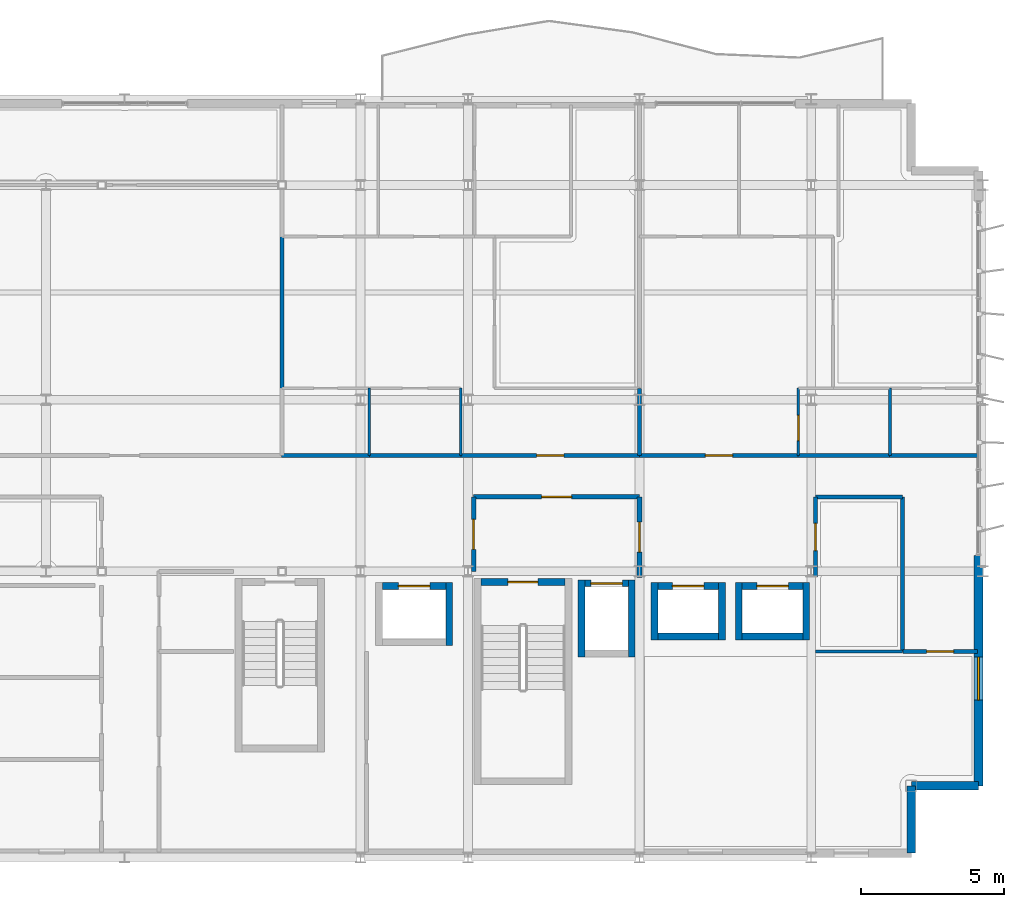
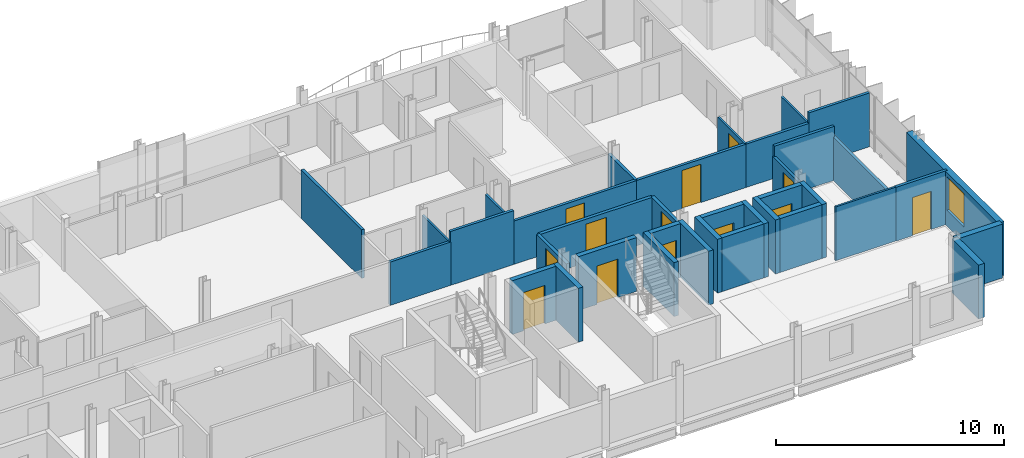
# One storey, part 29 of 35: 37 walls, 13 doors, 1 window, 14 openings.
"""IFC4 building model written with IfcOpenShell, lengths in metres."""

from ifc_helpers import new_model, si_unit, direction, frame, frame_2d, origin, place, context, subcontext, project, spatial, rectangle, extrude, material, layer, layer_set, type_object, element, fill, save


model = new_model("IFC4")

# Units and contexts
model_context = context("Model", 3, precision=1e-05, world=origin(), true_north=direction((0.0, 1.0)))
body_context = subcontext(model_context, "Body", "Model", "MODEL_VIEW")
ifc_project = project(units=[si_unit("LENGTHUNIT", "METRE"), si_unit("AREAUNIT", "SQUARE_METRE"), si_unit("VOLUMEUNIT", "CUBIC_METRE"), si_unit("PLANEANGLEUNIT", "RADIAN"), si_unit("MASSUNIT", "GRAM", prefix="KILO")], contexts=[model_context])

# Site, building, storey
site_placement = place(None, origin())
site = spatial("IfcSite", under=ifc_project, at=site_placement, CompositionType="ELEMENT")
building_placement = place(site_placement, origin())
building = spatial("IfcBuilding", under=site, at=building_placement, Name="Brevholm Reach", CompositionType="ELEMENT")
storey_placement = place(building_placement, frame((0.0, 0.0, 218.0)))
storey = spatial("IfcBuildingStorey", under=building, at=storey_placement, Name="L66", CompositionType="ELEMENT", Elevation=218.0)

# Wall, opening, door
ifc_material_1 = material(Name="Concrete C45/55", Category="concrete")
ifc_layer_1 = layer(ifc_material_1, 0.239990234375)
ifc_layer_set_1 = layer_set([ifc_layer_1], Name="Concrete C45/55")
wall_type_1 = type_object("IfcWallType", Name="WAL-COR-240", PredefinedType="SHEAR", material=ifc_layer_set_1)
wall_1_placement = place(storey_placement, frame((45.39990234375, 9.6201171875, 0.0), z_axis=(0.0, 0.0, 1.0), x_axis=(-1.0, 0.0, 0.0)))
wall_1 = element("IfcWall", 1, at=wall_1_placement, inside=storey, type_object=wall_type_1, Name="L66 Escape Stair ST-2 Core Wall N", PredefinedType="SHEAR", context=body_context, shape_type="SweptSolid", body=[
    extrude(rectangle(XDim=2.949951171875, YDim=0.239990234375, at=frame_2d((1.47509765625, 0.0))), origin(), (0.0, 0.0, 1.0), 2.889892578125),
])
opening_1_placement = place(wall_1_placement, frame((0.949951171875, 0.0, 0.0)))
opening_1 = element("IfcOpeningElement", 2, at=opening_1_placement, cuts=wall_1, Name="Opening SD-ST-2", PredefinedType="OPENING", context=body_context, shape_type="SweptSolid", body=[
    extrude(rectangle(XDim=1.050048828125, YDim=2.06005859375, at=frame_2d((0.52490234375, 1.030029296875))), frame((0.0, 0.1298828125, 0.0), z_axis=(0.0, -1.0, 0.0), x_axis=(1.0, 0.0, 0.0)), (0.0, 0.0, 1.0), 0.260009765625),
])
ifc_material_2 = material(Name="Hardwood-Lipped Steel-Core Fire and Smoke Door", Category="steel")
door_type_1 = type_object("IfcDoorType", Name="DOR-INT-FD60S", OperationType="NOTDEFINED", PredefinedType="DOOR", material=ifc_material_2)
door_1_placement = place(opening_1_placement, origin())
door_1 = element("IfcDoor", 3, at=door_1_placement, inside=storey, type_object=door_type_1, Name="L66 Protected Stair ST-2 Lobby Door", OperationType="SINGLE_SWING_LEFT", OverallHeight=2.06005859375, OverallWidth=1.050048828125, PredefinedType="DOOR", context=body_context, shape_type="SweptSolid", body=[
    extrude(rectangle(XDim=1.050048828125, YDim=2.06005859375, at=frame_2d((0.52490234375, 1.030029296875))), frame((0.0, 0.02490234375, 0.0), z_axis=(0.0, -1.0, 0.0), x_axis=(1.0, 0.0, 0.0)), (0.0, 0.0, 1.0), 0.050048828125),
])
fill(opening_1, door_1)

# Walls
for number, where, z_axis, x_axis, name in (
    (4, (45.969970703125, 7.0, 0.0), (0.0, 0.0, 1.0), (0.0, 1.0, 0.0), "L66 Lift FFL-2 Shaft Wall W"),
    (5, (47.72998046875, 7.0, 0.0), (0.0, 0.0, 1.0), (0.0, 1.0, 0.0), "L66 Lift FFL-2 Shaft Wall E"),
):
    element("IfcWall", number, at=place(storey_placement, frame(where, z_axis=z_axis, x_axis=x_axis)), inside=storey, type_object=wall_type_1, Name=name, PredefinedType="SHEAR", context=body_context, shape_type="SweptSolid", body=[
        extrude(rectangle(XDim=2.699951171875, YDim=0.239990234375, at=frame_2d((1.35009765625, 0.0))), origin(), (0.0, 0.0, 1.0), 2.889892578125),
    ])

# Wall, opening, door
wall_2_placement = place(storey_placement, frame((46.090087890625, 9.580078125, 0.0), z_axis=(0.0, 0.0, 1.0), x_axis=(1.0, 0.0, 0.0)))
wall_2 = element("IfcWall", 6, at=wall_2_placement, inside=storey, type_object=wall_type_1, Name="L66 Lift FFL-2 Shaft Wall N", PredefinedType="SHEAR", context=body_context, shape_type="SweptSolid", body=[
    extrude(rectangle(XDim=1.52001953125, YDim=0.239990234375, at=frame_2d((0.760009765625, 0.0))), origin(), (0.0, 0.0, 1.0), 2.889892578125),
])
opening_2_placement = place(wall_2_placement, frame((0.2099609375, 0.0, 0.0)))
opening_2 = element("IfcOpeningElement", 7, at=opening_2_placement, cuts=wall_2, Name="Opening LD-FFL-2", PredefinedType="OPENING", context=body_context, shape_type="SweptSolid", body=[
    extrude(rectangle(XDim=1.10009765625, YDim=2.06005859375, at=frame_2d((0.550048828125, 1.030029296875))), frame((0.0, 0.1298828125, 0.0), z_axis=(0.0, -1.0, 0.0), x_axis=(1.0, 0.0, 0.0)), (0.0, 0.0, 1.0), 0.260009765625),
])
ifc_material_3 = material(Name="Brushed Stainless Steel Fire-Rated Sliding Lift Door", Category="steel")
door_type_2 = type_object("IfcDoorType", Name="DOR-LFT-1100", OperationType="NOTDEFINED", PredefinedType="DOOR", material=ifc_material_3)
door_2_placement = place(opening_2_placement, origin())
door_2 = element("IfcDoor", 8, at=door_2_placement, inside=storey, type_object=door_type_2, Name="L66 Lift FFL-2 Sliding Landing Door", OperationType="SLIDING_TO_LEFT", OverallHeight=2.06005859375, OverallWidth=1.10009765625, PredefinedType="DOOR", context=body_context, shape_type="SweptSolid", body=[
    extrude(rectangle(XDim=1.10009765625, YDim=2.06005859375, at=frame_2d((0.550048828125, 1.030029296875))), frame((0.0, 0.02490234375, 0.0), z_axis=(0.0, -1.0, 0.0), x_axis=(1.0, 0.0, 0.0)), (0.0, 0.0, 1.0), 0.050048828125),
])
fill(opening_2, door_2)

# Wall
wall_3_placement = place(storey_placement, frame((41.35009765625, 7.39990234375, 0.0), z_axis=(0.0, 0.0, 1.0), x_axis=(0.0, 1.0, 0.0)))
element("IfcWall", 9, at=wall_3_placement, inside=storey, type_object=wall_type_1, Name="L66 Lift PL-S1 Shaft Wall E", PredefinedType="SHEAR", context=body_context, shape_type="SweptSolid", body=[
    extrude(rectangle(XDim=2.2001953125, YDim=0.239990234375, at=frame_2d((1.10009765625, 0.0))), origin(), (0.0, 0.0, 1.0), 2.889892578125),
])

# Wall, opening, door
wall_4_placement = place(storey_placement, frame((39.010009765625, 9.47998046875, 0.0), z_axis=(0.0, 0.0, 1.0), x_axis=(1.0, 0.0, 0.0)))
wall_4 = element("IfcWall", 10, at=wall_4_placement, inside=storey, type_object=wall_type_1, Name="L66 Lift PL-S1 Shaft Wall N", PredefinedType="SHEAR", context=body_context, shape_type="SweptSolid", body=[
    extrude(rectangle(XDim=2.219970703125, YDim=0.239990234375, at=frame_2d((1.10986328125, 0.0))), origin(), (0.0, 0.0, 1.0), 2.889892578125),
])
opening_3_placement = place(wall_4_placement, frame((0.56005859375, 0.0, 0.0)))
opening_3 = element("IfcOpeningElement", 11, at=opening_3_placement, cuts=wall_4, Name="Opening LD-PL-S1", PredefinedType="OPENING", context=body_context, shape_type="SweptSolid", body=[
    extrude(rectangle(XDim=1.10009765625, YDim=2.06005859375, at=frame_2d((0.550048828125, 1.030029296875))), frame((0.0, 0.1298828125, 0.0), z_axis=(0.0, -1.0, 0.0), x_axis=(1.0, 0.0, 0.0)), (0.0, 0.0, 1.0), 0.260009765625),
])
door_3_placement = place(opening_3_placement, origin())
door_3 = element("IfcDoor", 12, at=door_3_placement, inside=storey, type_object=door_type_2, Name="L66 Lift PL-S1 Sliding Landing Door", OperationType="SLIDING_TO_RIGHT", OverallHeight=2.06005859375, OverallWidth=1.10009765625, PredefinedType="DOOR", context=body_context, shape_type="SweptSolid", body=[
    extrude(rectangle(XDim=1.10009765625, YDim=2.06005859375, at=frame_2d((0.550048828125, 1.030029296875))), frame((0.0, 0.02490234375, 0.0), z_axis=(0.0, -1.0, 0.0), x_axis=(1.0, 0.0, 0.0)), (0.0, 0.0, 1.0), 0.050048828125),
])
fill(opening_3, door_3)

# Walls
for number, where, z_axis, x_axis, name in (
    (13, (48.52001953125, 7.60009765625, 0.0), (0.0, 0.0, 1.0), (0.0, 1.0, 0.0), "L66 Lift PL-H1 Shaft Wall W"),
    (14, (50.8798828125, 7.60009765625, 0.0), (0.0, 0.0, 1.0), (0.0, 1.0, 0.0), "L66 Lift PL-H1 Shaft Wall E"),
):
    element("IfcWall", number, at=place(storey_placement, frame(where, z_axis=z_axis, x_axis=x_axis)), inside=storey, type_object=wall_type_1, Name=name, PredefinedType="SHEAR", context=body_context, shape_type="SweptSolid", body=[
        extrude(rectangle(XDim=2.0, YDim=0.239990234375, at=frame_2d((1.0, 0.0))), origin(), (0.0, 0.0, 1.0), 2.889892578125),
    ])
wall_5_placement = place(storey_placement, frame((48.639892578125, 7.719970703125, 0.0), z_axis=(0.0, 0.0, 1.0), x_axis=(1.0, 0.0, 0.0)))
element("IfcWall", 15, at=wall_5_placement, inside=storey, type_object=wall_type_1, Name="L66 Lift PL-H1 Shaft Wall S", PredefinedType="SHEAR", context=body_context, shape_type="SweptSolid", body=[
    extrude(rectangle(XDim=2.1201171875, YDim=0.239990234375, at=frame_2d((1.06005859375, 0.0))), origin(), (0.0, 0.0, 1.0), 2.889892578125),
])

# Wall, opening, door
wall_6_placement = place(storey_placement, frame((48.639892578125, 9.47998046875, 0.0), z_axis=(0.0, 0.0, 1.0), x_axis=(1.0, 0.0, 0.0)))
wall_6 = element("IfcWall", 16, at=wall_6_placement, inside=storey, type_object=wall_type_1, Name="L66 Lift PL-H1 Shaft Wall N", PredefinedType="SHEAR", context=body_context, shape_type="SweptSolid", body=[
    extrude(rectangle(XDim=2.1201171875, YDim=0.239990234375, at=frame_2d((1.06005859375, 0.0))), origin(), (0.0, 0.0, 1.0), 2.889892578125),
])
opening_4_placement = place(wall_6_placement, frame((0.510009765625, 0.0, 0.0)))
opening_4 = element("IfcOpeningElement", 17, at=opening_4_placement, cuts=wall_6, Name="Opening LD-PL-H1", PredefinedType="OPENING", context=body_context, shape_type="SweptSolid", body=[
    extrude(rectangle(XDim=1.10009765625, YDim=2.06005859375, at=frame_2d((0.550048828125, 1.030029296875))), frame((0.0, 0.1298828125, 0.0), z_axis=(0.0, -1.0, 0.0), x_axis=(1.0, 0.0, 0.0)), (0.0, 0.0, 1.0), 0.260009765625),
])
door_4_placement = place(opening_4_placement, origin())
door_4 = element("IfcDoor", 18, at=door_4_placement, inside=storey, type_object=door_type_2, Name="L66 Lift PL-H1 Sliding Landing Door", OperationType="SLIDING_TO_LEFT", OverallHeight=2.06005859375, OverallWidth=1.10009765625, PredefinedType="DOOR", context=body_context, shape_type="SweptSolid", body=[
    extrude(rectangle(XDim=1.10009765625, YDim=2.06005859375, at=frame_2d((0.550048828125, 1.030029296875))), frame((0.0, 0.02490234375, 0.0), z_axis=(0.0, -1.0, 0.0), x_axis=(1.0, 0.0, 0.0)), (0.0, 0.0, 1.0), 0.050048828125),
])
fill(opening_4, door_4)

# Walls
for number, where, z_axis, x_axis, name in (
    (19, (51.469970703125, 7.60009765625, 0.0), (0.0, 0.0, 1.0), (0.0, 1.0, 0.0), "L66 Lift PL-H2 Shaft Wall W"),
    (20, (53.830078125, 7.60009765625, 0.0), (0.0, 0.0, 1.0), (0.0, 1.0, 0.0), "L66 Lift PL-H2 Shaft Wall E"),
):
    element("IfcWall", number, at=place(storey_placement, frame(where, z_axis=z_axis, x_axis=x_axis)), inside=storey, type_object=wall_type_1, Name=name, PredefinedType="SHEAR", context=body_context, shape_type="SweptSolid", body=[
        extrude(rectangle(XDim=2.0, YDim=0.239990234375, at=frame_2d((1.0, 0.0))), origin(), (0.0, 0.0, 1.0), 2.889892578125),
    ])
wall_7_placement = place(storey_placement, frame((51.590087890625, 7.719970703125, 0.0), z_axis=(0.0, 0.0, 1.0), x_axis=(1.0, 0.0, 0.0)))
element("IfcWall", 21, at=wall_7_placement, inside=storey, type_object=wall_type_1, Name="L66 Lift PL-H2 Shaft Wall S", PredefinedType="SHEAR", context=body_context, shape_type="SweptSolid", body=[
    extrude(rectangle(XDim=2.119873046875, YDim=0.239990234375, at=frame_2d((1.06005859375, 0.0))), origin(), (0.0, 0.0, 1.0), 2.889892578125),
])

# Wall, opening, door
wall_8_placement = place(storey_placement, frame((51.590087890625, 9.47998046875, 0.0), z_axis=(0.0, 0.0, 1.0), x_axis=(1.0, 0.0, 0.0)))
wall_8 = element("IfcWall", 22, at=wall_8_placement, inside=storey, type_object=wall_type_1, Name="L66 Lift PL-H2 Shaft Wall N", PredefinedType="SHEAR", context=body_context, shape_type="SweptSolid", body=[
    extrude(rectangle(XDim=2.119873046875, YDim=0.239990234375, at=frame_2d((1.06005859375, 0.0))), origin(), (0.0, 0.0, 1.0), 2.889892578125),
])
opening_5_placement = place(wall_8_placement, frame((0.510009765625, 0.0, 0.0)))
opening_5 = element("IfcOpeningElement", 23, at=opening_5_placement, cuts=wall_8, Name="Opening LD-PL-H2", PredefinedType="OPENING", context=body_context, shape_type="SweptSolid", body=[
    extrude(rectangle(XDim=1.10009765625, YDim=2.06005859375, at=frame_2d((0.550048828125, 1.030029296875))), frame((0.0, 0.1298828125, 0.0), z_axis=(0.0, -1.0, 0.0), x_axis=(1.0, 0.0, 0.0)), (0.0, 0.0, 1.0), 0.260009765625),
])
door_5_placement = place(opening_5_placement, origin())
door_5 = element("IfcDoor", 24, at=door_5_placement, inside=storey, type_object=door_type_2, Name="L66 Lift PL-H2 Sliding Landing Door", OperationType="SLIDING_TO_RIGHT", OverallHeight=2.06005859375, OverallWidth=1.10009765625, PredefinedType="DOOR", context=body_context, shape_type="SweptSolid", body=[
    extrude(rectangle(XDim=1.10009765625, YDim=2.06005859375, at=frame_2d((0.550048828125, 1.030029296875))), frame((0.0, 0.02490234375, 0.0), z_axis=(0.0, -1.0, 0.0), x_axis=(1.0, 0.0, 0.0)), (0.0, 0.0, 1.0), 0.050048828125),
])
fill(opening_5, door_5)

# Walls
ifc_material_4 = material(Name="Concrete C40/50", Category="concrete")
ifc_layer_2 = layer(ifc_material_4, 0.300048828125)
ifc_layer_set_2 = layer_set([ifc_layer_2], Name="Concrete C40/50")
wall_type_2 = type_object("IfcWallType", Name="WAL-EXT-300", PredefinedType="STANDARD", material=ifc_layer_set_2)
for number, where, z_axis, x_axis, name in (
    (25, (57.5, 0.14990234375, 0.0), (0.0, 0.0, 1.0), (0.0, 1.0, 0.0), "L66 Facade Wall WAL-L66-CSE1"),
    (26, (57.5, 2.5, 0.0), (0.0, 0.0, 1.0), (1.0, 0.0, 0.0), "L66 Facade Wall WAL-L66-CSE2"),
):
    element("IfcWall", number, at=place(storey_placement, frame(where, z_axis=z_axis, x_axis=x_axis)), inside=storey, type_object=wall_type_2, Name=name, PredefinedType="STANDARD", context=body_context, shape_type="SweptSolid", body=[
        extrude(rectangle(XDim=2.35009765625, YDim=0.300048828125, at=frame_2d((1.175048828125, 0.0))), origin(), (0.0, 0.0, 1.0), 2.889892578125),
    ])

# Wall, opening, window
wall_9_placement = place(storey_placement, frame((59.85009765625, 2.5, 0.0), z_axis=(0.0, 0.0, 1.0), x_axis=(0.0, 1.0, 0.0)))
wall_9 = element("IfcWall", 27, at=wall_9_placement, inside=storey, type_object=wall_type_2, Name="L66 Facade Wall WAL-L66-E-S", PredefinedType="STANDARD", context=body_context, shape_type="SweptSolid", body=[
    extrude(rectangle(XDim=8.050048828125, YDim=0.300048828125, at=frame_2d((4.02490234375, 0.0))), origin(), (0.0, 0.0, 1.0), 2.889892578125),
])
opening_6_placement = place(wall_9_placement, frame((3.0, 0.0, 0.8701171875)))
opening_6 = element("IfcOpeningElement", 28, at=opening_6_placement, cuts=wall_9, Name="Opening WN-05", PredefinedType="OPENING", context=body_context, shape_type="SweptSolid", body=[
    extrude(rectangle(XDim=1.5, YDim=1.800048828125, at=frame_2d((0.75, 0.89990234375))), frame((0.0, 0.159912109375, 0.0), z_axis=(0.0, -1.0, 0.0), x_axis=(1.0, 0.0, 0.0)), (0.0, 0.0, 1.0), 0.320068359375),
])
ifc_material_5 = material(Name="Dark Anodised Aluminium and Solar-Control IGU Glass", Category="aluminium")
window_type = type_object("IfcWindowType", Name="WIN-RES-1500", PartitioningType="SINGLE_PANEL", PredefinedType="WINDOW", material=ifc_material_5)
window_placement = place(opening_6_placement, origin())
window = element("IfcWindow", 29, at=window_placement, inside=storey, type_object=window_type, Name="L66 Window WIN-L66-ES-1", OverallHeight=1.800048828125, OverallWidth=1.5, PartitioningType="SINGLE_PANEL", PredefinedType="WINDOW", context=body_context, shape_type="SweptSolid", body=[
    extrude(rectangle(XDim=1.5, YDim=1.800048828125, at=frame_2d((0.75, 0.89990234375))), frame((0.0, 0.030029296875, 0.0), z_axis=(0.0, -1.0, 0.0), x_axis=(1.0, 0.0, 0.0)), (0.0, 0.0, 1.0), 0.06005859375),
])
fill(opening_6, window)

# Walls
ifc_material_6 = material(Name="Moisture-Resistant Acoustic Gypsum Stud Partition 100 mm", Category="gypsum")
ifc_layer_3 = layer(ifc_material_6, 0.10009765625)
ifc_layer_set_3 = layer_set([ifc_layer_3], Name="Moisture-Resistant Acoustic Gypsum Stud Partition 100 mm")
wall_type_3 = type_object("IfcWallType", Name="WAL-PRT-100", PredefinedType="PARTITIONING", material=ifc_layer_set_3)
wall_10_placement = place(storey_placement, frame((54.14990234375, 7.199951171875, 0.0), z_axis=(0.0, 0.0, 1.0), x_axis=(1.0, 0.0, 0.0)))
element("IfcWall", 30, at=wall_10_placement, inside=storey, type_object=wall_type_3, Name="L66 Internal Partition 021", PredefinedType="PARTITIONING", context=body_context, shape_type="SweptSolid", body=[
    extrude(rectangle(XDim=3.050048828125, YDim=0.10009765625, at=frame_2d((1.52490234375, 0.0))), origin(), (0.0, 0.0, 1.0), 2.889892578125),
])
for number, where, z_axis, x_axis, name in (
    (31, (38.550048828125, 14.053955078125, 0.0), (0.0, 0.0, 1.0), (0.0, 1.0, 0.0), "L66 Internal Partition 089"),
    (32, (41.75, 14.053955078125, 0.0), (0.0, 0.0, 1.0), (0.0, 1.0, 0.0), "L66 Internal Partition 091"),
    (33, (56.75, 14.053955078125, 0.0), (0.0, 0.0, 1.0), (0.0, 1.0, 0.0), "L66 Internal Partition 105"),
):
    element("IfcWall", number, at=place(storey_placement, frame(where, z_axis=z_axis, x_axis=x_axis)), inside=storey, type_object=wall_type_3, Name=name, PredefinedType="PARTITIONING", context=body_context, shape_type="SweptSolid", body=[
        extrude(rectangle(XDim=2.345947265625, YDim=0.10009765625, at=frame_2d((1.1728515625, 0.0))), origin(), (0.0, 0.0, 1.0), 2.325439453125),
    ])

# Wall, opening, door
wall_11_placement = place(storey_placement, frame((53.550048828125, 14.053955078125, 0.0), z_axis=(0.0, 0.0, 1.0), x_axis=(0.0, 1.0, 0.0)))
wall_11 = element("IfcWall", 34, at=wall_11_placement, inside=storey, type_object=wall_type_3, Name="L66 Internal Partition 109", PredefinedType="PARTITIONING", context=body_context, shape_type="SweptSolid", body=[
    extrude(rectangle(XDim=2.345947265625, YDim=0.10009765625, at=frame_2d((1.1728515625, 0.0))), origin(), (0.0, 0.0, 1.0), 2.325439453125),
])
opening_7_placement = place(wall_11_placement, frame((0.512939453125, 0.0, 0.0)))
opening_7 = element("IfcOpeningElement", 35, at=opening_7_placement, cuts=wall_11, Name="Opening ID-01", PredefinedType="OPENING", context=body_context, shape_type="SweptSolid", body=[
    extrude(rectangle(XDim=0.8798828125, YDim=2.0400390625, at=frame_2d((0.43994140625, 1.02001953125))), frame((0.0, 0.06005859375, 0.0), z_axis=(0.0, -1.0, 0.0), x_axis=(1.0, 0.0, 0.0)), (0.0, 0.0, 1.0), 0.1201171875),
])
ifc_material_7 = material(Name="Lacquered Ash Solid-Core Acoustic Internal Door", Category="timber")
door_type_3 = type_object("IfcDoorType", Name="DOR-INT-880", OperationType="NOTDEFINED", PredefinedType="DOOR", material=ifc_material_7)
door_6_placement = place(opening_7_placement, origin())
door_6 = element("IfcDoor", 36, at=door_6_placement, inside=storey, type_object=door_type_3, Name="L66 Internal Door 040", OperationType="SINGLE_SWING_LEFT", OverallHeight=2.0400390625, OverallWidth=0.8798828125, PredefinedType="DOOR", context=body_context, shape_type="SweptSolid", body=[
    extrude(rectangle(XDim=0.8798828125, YDim=2.0400390625, at=frame_2d((0.43994140625, 1.02001953125))), frame((0.0, 0.02490234375, 0.0), z_axis=(0.0, -1.0, 0.0), x_axis=(1.0, 0.0, 0.0)), (0.0, 0.0, 1.0), 0.050048828125),
])
fill(opening_7, door_6)

ifc_material_8 = material(Name="Twin-Stud Acoustic Fire-Rated Gypsum Partition 140 mm", Category="gypsum")
ifc_layer_4 = layer(ifc_material_8, 0.139892578125)
ifc_layer_set_4 = layer_set([ifc_layer_4], Name="Twin-Stud Acoustic Fire-Rated Gypsum Partition 140 mm")
wall_type_4 = type_object("IfcWallType", Name="WAL-PRT-140", PredefinedType="PARTITIONING", material=ifc_layer_set_4)
wall_12_placement = place(storey_placement, frame((54.14990234375, 9.800048828125, 0.0), z_axis=(0.0, 0.0, 1.0), x_axis=(0.0, 1.0, 0.0)))
wall_12 = element("IfcWall", 37, at=wall_12_placement, inside=storey, type_object=wall_type_4, Name="L66 Internal Partition 018", PredefinedType="PARTITIONING", context=body_context, shape_type="SweptSolid", body=[
    extrude(rectangle(XDim=2.800048828125, YDim=0.139892578125, at=frame_2d((1.39990234375, 0.0))), origin(), (0.0, 0.0, 1.0), 2.325439453125),
])
opening_8_placement = place(wall_12_placement, frame((0.925048828125, 0.0, 0.0)))
opening_8 = element("IfcOpeningElement", 38, at=opening_8_placement, cuts=wall_12, Name="Opening ID-30", PredefinedType="OPENING", context=body_context, shape_type="SweptSolid", body=[
    extrude(rectangle(XDim=0.949951171875, YDim=2.050048828125, at=frame_2d((0.47509765625, 1.02490234375))), frame((0.0, 0.079833984375, 0.0), z_axis=(0.0, -1.0, 0.0), x_axis=(1.0, 0.0, 0.0)), (0.0, 0.0, 1.0), 0.159912109375),
])
ifc_material_9 = material(Name="European Oak Veneered Solid-Core Fire Entrance Door", Category="timber")
door_type_4 = type_object("IfcDoorType", Name="DOR-FLT-FD30S", OperationType="NOTDEFINED", PredefinedType="DOOR", material=ifc_material_9)
door_7_placement = place(opening_8_placement, origin())
door_7 = element("IfcDoor", 39, at=door_7_placement, inside=storey, type_object=door_type_4, Name="L66 Internal Door 012", OperationType="SINGLE_SWING_LEFT", OverallHeight=2.050048828125, OverallWidth=0.949951171875, PredefinedType="DOOR", context=body_context, shape_type="SweptSolid", body=[
    extrude(rectangle(XDim=0.949951171875, YDim=2.050048828125, at=frame_2d((0.47509765625, 1.02490234375))), frame((0.0, 0.02490234375, 0.0), z_axis=(0.0, -1.0, 0.0), x_axis=(1.0, 0.0, 0.0)), (0.0, 0.0, 1.0), 0.050048828125),
])
fill(opening_8, door_7)

# Walls
wall_13_placement = place(storey_placement, frame((54.154052734375, 12.60009765625, 0.0), z_axis=(0.0, 0.0, 1.0), x_axis=(1.0, 0.0, 0.0)))
element("IfcWall", 40, at=wall_13_placement, inside=storey, type_object=wall_type_4, Name="L66 Internal Partition 019", PredefinedType="PARTITIONING", context=body_context, shape_type="SweptSolid", body=[
    extrude(rectangle(XDim=3.0458984375, YDim=0.139892578125, at=frame_2d((1.52294921875, 0.0))), origin(), (0.0, 0.0, 1.0), 2.889892578125),
])
wall_14_placement = place(storey_placement, frame((57.199951171875, 7.199951171875, 0.0), z_axis=(0.0, 0.0, 1.0), x_axis=(0.0, 1.0, 0.0)))
element("IfcWall", 41, at=wall_14_placement, inside=storey, type_object=wall_type_4, Name="L66 Internal Partition 020", PredefinedType="PARTITIONING", context=body_context, shape_type="SweptSolid", body=[
    extrude(rectangle(XDim=5.400146484375, YDim=0.139892578125, at=frame_2d((2.7001953125, 0.0))), origin(), (0.0, 0.0, 1.0), 2.325439453125),
])
wall_15_placement = place(storey_placement, frame((35.49267578125, 14.050048828125, 0.0), z_axis=(0.0, 0.0, 1.0), x_axis=(1.0, 0.0, 0.0)))
element("IfcWall", 42, at=wall_15_placement, inside=storey, type_object=wall_type_4, Name="L66 Internal Partition 028", PredefinedType="PARTITIONING", context=body_context, shape_type="SweptSolid", body=[
    extrude(rectangle(XDim=3.068603515625, YDim=0.139892578125, at=frame_2d((1.5341796875, 0.0))), origin(), (0.0, 0.0, 1.0), 2.325439453125),
])
wall_16_placement = place(storey_placement, frame((38.542724609375, 14.050048828125, 0.0), z_axis=(0.0, 0.0, 1.0), x_axis=(1.0, 0.0, 0.0)))
element("IfcWall", 43, at=wall_16_placement, inside=storey, type_object=wall_type_4, Name="L66 Internal Partition 029", PredefinedType="PARTITIONING", context=body_context, shape_type="SweptSolid", body=[
    extrude(rectangle(XDim=3.218505859375, YDim=0.139892578125, at=frame_2d((1.609375, 0.0))), origin(), (0.0, 0.0, 1.0), 2.889892578125),
])

# Wall, opening, door
wall_17_placement = place(storey_placement, frame((41.74267578125, 14.050048828125, 0.0), z_axis=(0.0, 0.0, 1.0), x_axis=(1.0, 0.0, 0.0)))
wall_17 = element("IfcWall", 44, at=wall_17_placement, inside=storey, type_object=wall_type_4, Name="L66 Internal Partition 030", PredefinedType="PARTITIONING", context=body_context, shape_type="SweptSolid", body=[
    extrude(rectangle(XDim=6.2685546875, YDim=0.139892578125, at=frame_2d((3.13427734375, 0.0))), origin(), (0.0, 0.0, 1.0), 2.325439453125),
])
opening_9_placement = place(wall_17_placement, frame((2.6591796875, 0.0, 0.0)))
opening_9 = element("IfcOpeningElement", 45, at=opening_9_placement, cuts=wall_17, Name="Opening ID-30", PredefinedType="OPENING", context=body_context, shape_type="SweptSolid", body=[
    extrude(rectangle(XDim=0.949951171875, YDim=2.050048828125, at=frame_2d((0.47509765625, 1.02490234375))), frame((0.0, 0.079833984375, 0.0), z_axis=(0.0, -1.0, 0.0), x_axis=(1.0, 0.0, 0.0)), (0.0, 0.0, 1.0), 0.159912109375),
])
door_8_placement = place(opening_9_placement, origin())
door_8 = element("IfcDoor", 46, at=door_8_placement, inside=storey, type_object=door_type_4, Name="L66 Internal Door 015", OperationType="SINGLE_SWING_RIGHT", OverallHeight=2.050048828125, OverallWidth=0.949951171875, PredefinedType="DOOR", context=body_context, shape_type="SweptSolid", body=[
    extrude(rectangle(XDim=0.949951171875, YDim=2.050048828125, at=frame_2d((0.47509765625, 1.02490234375))), frame((0.0, 0.02490234375, 0.0), z_axis=(0.0, -1.0, 0.0), x_axis=(1.0, 0.0, 0.0)), (0.0, 0.0, 1.0), 0.050048828125),
])
fill(opening_9, door_8)

# Walls
wall_18_placement = place(storey_placement, frame((56.73876953125, 14.050048828125, 0.0), z_axis=(0.0, 0.0, 1.0), x_axis=(1.0, 0.0, 0.0)))
element("IfcWall", 47, at=wall_18_placement, inside=storey, type_object=wall_type_4, Name="L66 Internal Partition 031", PredefinedType="PARTITIONING", context=body_context, shape_type="SweptSolid", body=[
    extrude(rectangle(XDim=3.072509765625, YDim=0.139892578125, at=frame_2d((1.5361328125, 0.0))), origin(), (0.0, 0.0, 1.0), 2.889892578125),
])
wall_19_placement = place(storey_placement, frame((53.538818359375, 14.050048828125, 0.0), z_axis=(0.0, 0.0, 1.0), x_axis=(1.0, 0.0, 0.0)))
element("IfcWall", 48, at=wall_19_placement, inside=storey, type_object=wall_type_4, Name="L66 Internal Partition 032", PredefinedType="PARTITIONING", context=body_context, shape_type="SweptSolid", body=[
    extrude(rectangle(XDim=3.218505859375, YDim=0.139892578125, at=frame_2d((1.609375, 0.0))), origin(), (0.0, 0.0, 1.0), 2.325439453125),
])

# Wall, opening, door
wall_20_placement = place(storey_placement, frame((47.99267578125, 14.050048828125, 0.0), z_axis=(0.0, 0.0, 1.0), x_axis=(1.0, 0.0, 0.0)))
wall_20 = element("IfcWall", 49, at=wall_20_placement, inside=storey, type_object=wall_type_4, Name="L66 Internal Partition 033", PredefinedType="PARTITIONING", context=body_context, shape_type="SweptSolid", body=[
    extrude(rectangle(XDim=5.564697265625, YDim=0.139892578125, at=frame_2d((2.7822265625, 0.0))), origin(), (0.0, 0.0, 1.0), 2.325439453125),
])
opening_10_placement = place(wall_20_placement, frame((2.307373046875, 0.0, 0.0)))
opening_10 = element("IfcOpeningElement", 50, at=opening_10_placement, cuts=wall_20, Name="Opening ID-30", PredefinedType="OPENING", context=body_context, shape_type="SweptSolid", body=[
    extrude(rectangle(XDim=0.949951171875, YDim=2.050048828125, at=frame_2d((0.47509765625, 1.02490234375))), frame((0.0, 0.079833984375, 0.0), z_axis=(0.0, -1.0, 0.0), x_axis=(1.0, 0.0, 0.0)), (0.0, 0.0, 1.0), 0.159912109375),
])
door_9_placement = place(opening_10_placement, origin())
door_9 = element("IfcDoor", 51, at=door_9_placement, inside=storey, type_object=door_type_4, Name="L66 Internal Door 016", OperationType="SINGLE_SWING_LEFT", OverallHeight=2.050048828125, OverallWidth=0.949951171875, PredefinedType="DOOR", context=body_context, shape_type="SweptSolid", body=[
    extrude(rectangle(XDim=0.949951171875, YDim=2.050048828125, at=frame_2d((0.47509765625, 1.02490234375))), frame((0.0, 0.02490234375, 0.0), z_axis=(0.0, -1.0, 0.0), x_axis=(1.0, 0.0, 0.0)), (0.0, 0.0, 1.0), 0.050048828125),
])
fill(opening_10, door_9)

wall_21_placement = place(storey_placement, frame((57.2041015625, 7.199951171875, 0.0), z_axis=(0.0, 0.0, 1.0), x_axis=(1.0, 0.0, 0.0)))
wall_21 = element("IfcWall", 52, at=wall_21_placement, inside=storey, type_object=wall_type_4, Name="L66 Internal Partition 037", PredefinedType="PARTITIONING", context=body_context, shape_type="SweptSolid", body=[
    extrude(rectangle(XDim=2.607177734375, YDim=0.139892578125, at=frame_2d((1.3037109375, 0.0))), origin(), (0.0, 0.0, 1.0), 2.889892578125),
])
opening_11_placement = place(wall_21_placement, frame((0.82861328125, 0.0, 0.0)))
opening_11 = element("IfcOpeningElement", 53, at=opening_11_placement, cuts=wall_21, Name="Opening ID-30", PredefinedType="OPENING", context=body_context, shape_type="SweptSolid", body=[
    extrude(rectangle(XDim=0.949951171875, YDim=2.050048828125, at=frame_2d((0.47509765625, 1.02490234375))), frame((0.0, 0.079833984375, 0.0), z_axis=(0.0, -1.0, 0.0), x_axis=(1.0, 0.0, 0.0)), (0.0, 0.0, 1.0), 0.159912109375),
])
door_10_placement = place(opening_11_placement, origin())
door_10 = element("IfcDoor", 54, at=door_10_placement, inside=storey, type_object=door_type_4, Name="L66 Internal Door 018", OperationType="SINGLE_SWING_LEFT", OverallHeight=2.050048828125, OverallWidth=0.949951171875, PredefinedType="DOOR", context=body_context, shape_type="SweptSolid", body=[
    extrude(rectangle(XDim=0.949951171875, YDim=2.050048828125, at=frame_2d((0.47509765625, 1.02490234375))), frame((0.0, 0.02490234375, 0.0), z_axis=(0.0, -1.0, 0.0), x_axis=(1.0, 0.0, 0.0)), (0.0, 0.0, 1.0), 0.050048828125),
])
fill(opening_11, door_10)

# Walls
wall_22_placement = place(storey_placement, frame((35.5, 16.392578125, 0.0), z_axis=(0.0, 0.0, 1.0), x_axis=(0.0, 1.0, 0.0)))
element("IfcWall", 55, at=wall_22_placement, inside=storey, type_object=wall_type_4, Name="L66 Internal Partition 087", PredefinedType="PARTITIONING", context=body_context, shape_type="SweptSolid", body=[
    extrude(rectangle(XDim=5.314697265625, YDim=0.139892578125, at=frame_2d((2.6572265625, 0.0))), origin(), (0.0, 0.0, 1.0), 2.613525390625),
])
wall_23_placement = place(storey_placement, frame((48.0, 14.053955078125, 0.0), z_axis=(0.0, 0.0, 1.0), x_axis=(0.0, 1.0, 0.0)))
element("IfcWall", 56, at=wall_23_placement, inside=storey, type_object=wall_type_4, Name="L66 Internal Partition 104", PredefinedType="PARTITIONING", context=body_context, shape_type="SweptSolid", body=[
    extrude(rectangle(XDim=2.342041015625, YDim=0.139892578125, at=frame_2d((1.1708984375, 0.0))), origin(), (0.0, 0.0, 1.0), 2.325439453125),
])

# Wall, opening, door
ifc_material_10 = material(Name="Twin-Frame Fire-Rated Gypsum Board and Mineral Wool 160 mm", Category="gypsum")
ifc_layer_5 = layer(ifc_material_10, 0.159912109375)
ifc_layer_set_5 = layer_set([ifc_layer_5], Name="Twin-Frame Fire-Rated Gypsum Board and Mineral Wool 160 mm")
wall_type_5 = type_object("IfcWallType", Name="WAL-PRT-160", PredefinedType="PARTITIONING", material=ifc_layer_set_5)
wall_24_placement = place(storey_placement, frame((42.199951171875, 9.98876953125, 0.0), z_axis=(0.0, 0.0, 1.0), x_axis=(0.0, 1.0, 0.0)))
wall_24 = element("IfcWall", 57, at=wall_24_placement, inside=storey, type_object=wall_type_5, Name="L66 Internal Partition 015", PredefinedType="PARTITIONING", context=body_context, shape_type="SweptSolid", body=[
    extrude(rectangle(XDim=2.611328125, YDim=0.159912109375, at=frame_2d((1.3056640625, 0.0))), origin(), (0.0, 0.0, 1.0), 2.325439453125),
])
opening_12_placement = place(wall_24_placement, frame((0.780517578125, 0.0, 0.0)))
opening_12 = element("IfcOpeningElement", 58, at=opening_12_placement, cuts=wall_24, Name="Opening FD-01", PredefinedType="OPENING", context=body_context, shape_type="SweptSolid", body=[
    extrude(rectangle(XDim=1.050048828125, YDim=2.06005859375, at=frame_2d((0.52490234375, 1.030029296875))), frame((0.0, 0.08984375, 0.0), z_axis=(0.0, -1.0, 0.0), x_axis=(1.0, 0.0, 0.0)), (0.0, 0.0, 1.0), 0.179931640625),
])
door_11_placement = place(opening_12_placement, origin())
door_11 = element("IfcDoor", 59, at=door_11_placement, inside=storey, type_object=door_type_1, Name="L66 Internal Door 009", OperationType="SINGLE_SWING_RIGHT", OverallHeight=2.06005859375, OverallWidth=1.050048828125, PredefinedType="DOOR", context=body_context, shape_type="SweptSolid", body=[
    extrude(rectangle(XDim=1.050048828125, YDim=2.06005859375, at=frame_2d((0.52490234375, 1.030029296875))), frame((0.0, 0.02490234375, 0.0), z_axis=(0.0, -1.0, 0.0), x_axis=(1.0, 0.0, 0.0)), (0.0, 0.0, 1.0), 0.050048828125),
])
fill(opening_12, door_11)

wall_25_placement = place(storey_placement, frame((48.0, 9.788818359375, 0.0), z_axis=(0.0, 0.0, 1.0), x_axis=(0.0, 1.0, 0.0)))
wall_25 = element("IfcWall", 60, at=wall_25_placement, inside=storey, type_object=wall_type_5, Name="L66 Internal Partition 016", PredefinedType="PARTITIONING", context=body_context, shape_type="SweptSolid", body=[
    extrude(rectangle(XDim=2.811279296875, YDim=0.159912109375, at=frame_2d((1.40576171875, 0.0))), origin(), (0.0, 0.0, 1.0), 2.325439453125),
])
opening_13_placement = place(wall_25_placement, frame((0.880615234375, 0.0, 0.0)))
opening_13 = element("IfcOpeningElement", 61, at=opening_13_placement, cuts=wall_25, Name="Opening FD-01", PredefinedType="OPENING", context=body_context, shape_type="SweptSolid", body=[
    extrude(rectangle(XDim=1.050048828125, YDim=2.06005859375, at=frame_2d((0.52490234375, 1.030029296875))), frame((0.0, 0.08984375, 0.0), z_axis=(0.0, -1.0, 0.0), x_axis=(1.0, 0.0, 0.0)), (0.0, 0.0, 1.0), 0.179931640625),
])
door_12_placement = place(opening_13_placement, origin())
door_12 = element("IfcDoor", 62, at=door_12_placement, inside=storey, type_object=door_type_1, Name="L66 Internal Door 010", OperationType="SINGLE_SWING_LEFT", OverallHeight=2.06005859375, OverallWidth=1.050048828125, PredefinedType="DOOR", context=body_context, shape_type="SweptSolid", body=[
    extrude(rectangle(XDim=1.050048828125, YDim=2.06005859375, at=frame_2d((0.52490234375, 1.030029296875))), frame((0.0, 0.02490234375, 0.0), z_axis=(0.0, -1.0, 0.0), x_axis=(1.0, 0.0, 0.0)), (0.0, 0.0, 1.0), 0.050048828125),
])
fill(opening_13, door_12)

wall_26_placement = place(storey_placement, frame((42.199951171875, 12.60009765625, 0.0), z_axis=(0.0, 0.0, 1.0), x_axis=(1.0, 0.0, 0.0)))
wall_26 = element("IfcWall", 63, at=wall_26_placement, inside=storey, type_object=wall_type_5, Name="L66 Internal Partition 017", PredefinedType="PARTITIONING", context=body_context, shape_type="SweptSolid", body=[
    extrude(rectangle(XDim=5.800048828125, YDim=0.159912109375, at=frame_2d((2.89990234375, 0.0))), origin(), (0.0, 0.0, 1.0), 2.325439453125),
])
opening_14_placement = place(wall_26_placement, frame((2.375, 0.0, 0.0)))
opening_14 = element("IfcOpeningElement", 64, at=opening_14_placement, cuts=wall_26, Name="Opening FD-01", PredefinedType="OPENING", context=body_context, shape_type="SweptSolid", body=[
    extrude(rectangle(XDim=1.050048828125, YDim=2.06005859375, at=frame_2d((0.52490234375, 1.030029296875))), frame((0.0, 0.08984375, 0.0), z_axis=(0.0, -1.0, 0.0), x_axis=(1.0, 0.0, 0.0)), (0.0, 0.0, 1.0), 0.179931640625),
])
door_13_placement = place(opening_14_placement, origin())
door_13 = element("IfcDoor", 65, at=door_13_placement, inside=storey, type_object=door_type_1, Name="L66 Internal Door 011", OperationType="SINGLE_SWING_RIGHT", OverallHeight=2.06005859375, OverallWidth=1.050048828125, PredefinedType="DOOR", context=body_context, shape_type="SweptSolid", body=[
    extrude(rectangle(XDim=1.050048828125, YDim=2.06005859375, at=frame_2d((0.52490234375, 1.030029296875))), frame((0.0, 0.02490234375, 0.0), z_axis=(0.0, -1.0, 0.0), x_axis=(1.0, 0.0, 0.0)), (0.0, 0.0, 1.0), 0.050048828125),
])
fill(opening_14, door_13)

save(model, "model.ifc")
